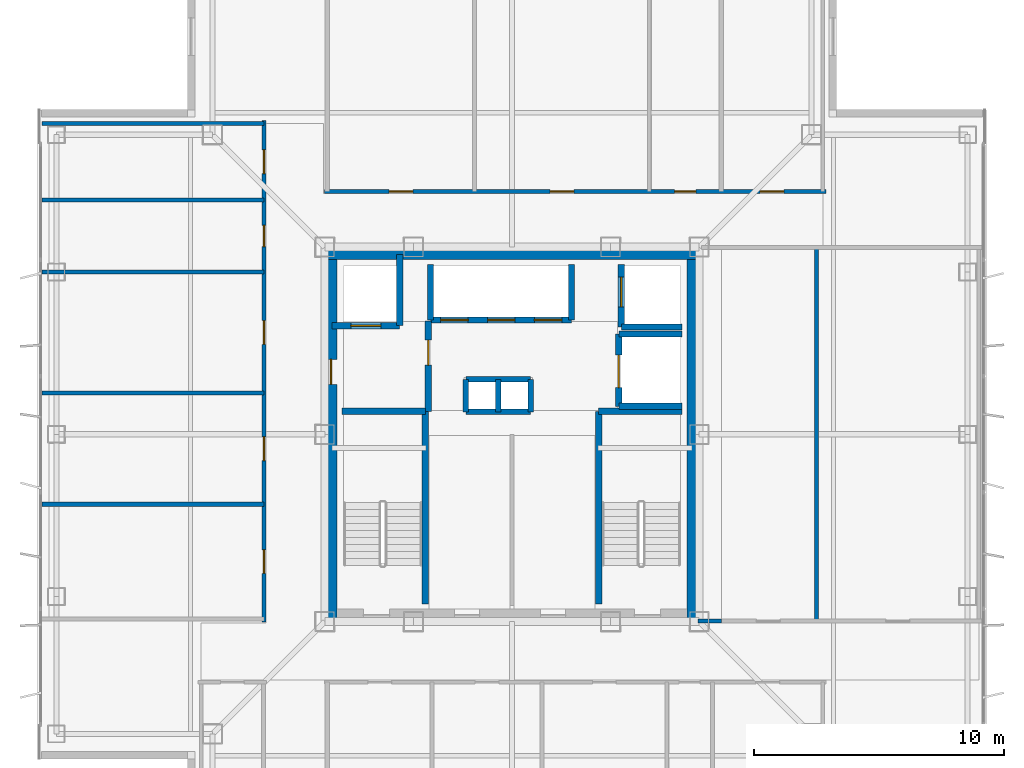
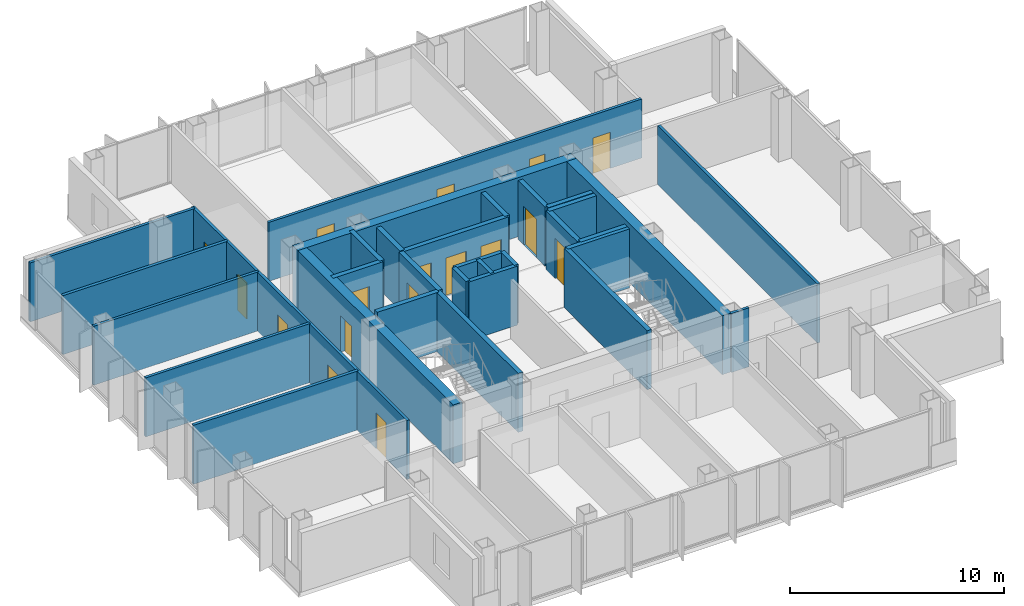
# One storey, part 8 of 15: 32 walls, 17 doors, 17 openings.
"""IFC4 building model written with IfcOpenShell, lengths in metres."""

from ifc_helpers import new_model, si_unit, direction, frame, frame_2d, origin, place, context, subcontext, project, spatial, rectangle, extrude, material, layer, layer_set, type_object, element, fill, save


model = new_model("IFC4")

# Units and contexts
model_context = context("Model", 3, precision=1e-05, world=origin(), true_north=direction((0.0, 1.0)))
body_context = subcontext(model_context, "Body", "Model", "MODEL_VIEW")
ifc_project = project(units=[si_unit("LENGTHUNIT", "METRE"), si_unit("AREAUNIT", "SQUARE_METRE"), si_unit("VOLUMEUNIT", "CUBIC_METRE"), si_unit("PLANEANGLEUNIT", "RADIAN"), si_unit("MASSUNIT", "GRAM", prefix="KILO")], contexts=[model_context])

# Site, building, storey
site_placement = place(None, origin())
site = spatial("IfcSite", under=ifc_project, at=site_placement, CompositionType="ELEMENT")
building_placement = place(site_placement, origin())
building = spatial("IfcBuilding", under=site, at=building_placement, Name="Trevonay Congress Spire", CompositionType="ELEMENT")
storey_placement = place(building_placement, frame((0.0, 0.0, 239.60009765625)))
storey = spatial("IfcBuildingStorey", under=building, at=storey_placement, Name="L62", CompositionType="ELEMENT", Elevation=239.60009765625)

# Wall
ifc_material_1 = material(Name="Concrete C50/60", Category="concrete")
ifc_layer_1 = layer(ifc_material_1, 0.5, Name="Concrete C50/60")
ifc_layer_set_1 = layer_set([ifc_layer_1], Name="Concrete C50/60")
wall_type_1 = type_object("IfcWallType", Name="WAL-CORE-500", PredefinedType="SHEAR", material=ifc_layer_set_1)
wall_1_placement = place(storey_placement, frame((-7.5, 7.25, 0.0), z_axis=(0.0, 0.0, 1.0), x_axis=(1.0, 0.0, 0.0)))
element("IfcWall", 1, at=wall_1_placement, inside=storey, type_object=wall_type_1, Name="L62 North structural core shear wall", PredefinedType="SHEAR", context=body_context, shape_type="SweptSolid", body=[
    extrude(rectangle(XDim=15.0, YDim=0.5, at=frame_2d((7.5, 0.0))), origin(), (0.0, 0.0, 1.0), 3.35986328125),
])

# Wall, opening, door
wall_2_placement = place(storey_placement, frame((-7.25, -7.5, 0.0), z_axis=(0.0, 0.0, 1.0), x_axis=(0.0, 1.0, 0.0)))
wall_2 = element("IfcWall", 2, at=wall_2_placement, inside=storey, type_object=wall_type_1, Name="L62 West structural core shear wall", PredefinedType="SHEAR", context=body_context, shape_type="SweptSolid", body=[
    extrude(rectangle(XDim=15.0, YDim=0.5, at=frame_2d((7.5, 0.0))), origin(), (0.0, 0.0, 1.0), 3.35986328125),
])
opening_1_placement = place(wall_2_placement, frame((9.5, 0.0, 0.0)))
opening_1 = element("IfcOpeningElement", 3, at=opening_1_placement, cuts=wall_2, Name="Opening D06", PredefinedType="OPENING", context=body_context, shape_type="SweptSolid", body=[
    extrude(rectangle(XDim=1.0, YDim=2.080078125, at=frame_2d((0.5, 1.0400390625))), frame((0.0, 0.260009765625, 0.0), z_axis=(0.0, -1.0, 0.0), x_axis=(1.0, 0.0, 0.0)), (0.0, 0.0, 1.0), 0.52001953125),
])
ifc_material_2 = material(Name="Steel ASTM A572 Grade 50", Category="steel")
door_type_1 = type_object("IfcDoorType", Name="DOR-FIRE-100", OperationType="NOTDEFINED", PredefinedType="DOOR", material=ifc_material_2)
door_1_placement = place(opening_1_placement, origin())
door_1 = element("IfcDoor", 4, at=door_1_placement, inside=storey, type_object=door_type_1, Name="L62 Firefighting Lift Lobby West Corridor Door", OperationType="SINGLE_SWING_LEFT", OverallHeight=2.080078125, OverallWidth=1.0, PredefinedType="DOOR", context=body_context, shape_type="SweptSolid", body=[
    extrude(rectangle(XDim=1.0, YDim=2.080078125, at=frame_2d((0.5, 1.0400390625))), frame((0.0, 0.02490234375, 0.0), z_axis=(0.0, -1.0, 0.0), x_axis=(1.0, 0.0, 0.0)), (0.0, 0.0, 1.0), 0.050048828125),
])
fill(opening_1, door_1)

# Wall
wall_3_placement = place(storey_placement, frame((7.25, -7.5, 0.0), z_axis=(0.0, 0.0, 1.0), x_axis=(0.0, 1.0, 0.0)))
element("IfcWall", 5, at=wall_3_placement, inside=storey, type_object=wall_type_1, Name="L62 East structural core shear wall", PredefinedType="SHEAR", context=body_context, shape_type="SweptSolid", body=[
    extrude(rectangle(XDim=15.0, YDim=0.5, at=frame_2d((7.5, 0.0))), origin(), (0.0, 0.0, 1.0), 3.35986328125),
])

# Wall, openings, doors
ifc_material_3 = material(Name="Concrete C40/50", Category="concrete")
ifc_layer_2 = layer(ifc_material_3, 0.14990234375, Name="Concrete C40/50")
ifc_layer_set_2 = layer_set([ifc_layer_2], Name="Concrete C40/50")
wall_type_2 = type_object("IfcWallType", Name="WAL-CORR-150", PredefinedType="PARTITIONING", material=ifc_layer_set_2)
wall_4_placement = place(storey_placement, frame((-9.929931640625, -7.52001953125, 0.0), z_axis=(0.0, 0.0, 1.0), x_axis=(0.0, 1.0, 0.0)))
wall_4 = element("IfcWall", 6, at=wall_4_placement, inside=storey, type_object=wall_type_2, Name="L62 interior wall WP-L62NW-COR", PredefinedType="PARTITIONING", context=body_context, shape_type="SweptSolid", body=[
    extrude(rectangle(XDim=20.090087890625, YDim=0.14990234375, at=frame_2d((10.044921875, 0.0))), origin(), (0.0, 0.0, 1.0), 3.35986328125),
])
opening_2_placement = place(wall_4_placement, frame((1.945068359375, 0.0, 0.0)))
opening_2 = element("IfcOpeningElement", 7, at=opening_2_placement, cuts=wall_4, Name="Opening D07", PredefinedType="OPENING", context=body_context, shape_type="SweptSolid", body=[
    extrude(rectangle(XDim=0.949951171875, YDim=2.06005859375, at=frame_2d((0.47509765625, 1.030029296875))), frame((0.0, 0.0849609375, 0.0), z_axis=(0.0, -1.0, 0.0), x_axis=(1.0, 0.0, 0.0)), (0.0, 0.0, 1.0), 0.169921875),
])
opening_3_placement = place(wall_4_placement, frame((6.469970703125, 0.0, 0.0)))
opening_3 = element("IfcOpeningElement", 8, at=opening_3_placement, cuts=wall_4, Name="Opening D07", PredefinedType="OPENING", context=body_context, shape_type="SweptSolid", body=[
    extrude(rectangle(XDim=0.949951171875, YDim=2.06005859375, at=frame_2d((0.47509765625, 1.030029296875))), frame((0.0, 0.0849609375, 0.0), z_axis=(0.0, -1.0, 0.0), x_axis=(1.0, 0.0, 0.0)), (0.0, 0.0, 1.0), 0.169921875),
])
opening_4_placement = place(wall_4_placement, frame((11.1201171875, 0.0, 0.0)))
opening_4 = element("IfcOpeningElement", 9, at=opening_4_placement, cuts=wall_4, Name="Opening D07", PredefinedType="OPENING", context=body_context, shape_type="SweptSolid", body=[
    extrude(rectangle(XDim=0.949951171875, YDim=2.06005859375, at=frame_2d((0.47509765625, 1.030029296875))), frame((0.0, 0.0849609375, 0.0), z_axis=(0.0, -1.0, 0.0), x_axis=(1.0, 0.0, 0.0)), (0.0, 0.0, 1.0), 0.169921875),
])
opening_5_placement = place(wall_4_placement, frame((15.034912109375, 0.0, 0.0)))
opening_5 = element("IfcOpeningElement", 10, at=opening_5_placement, cuts=wall_4, Name="Opening D10", PredefinedType="OPENING", context=body_context, shape_type="SweptSolid", body=[
    extrude(rectangle(XDim=0.85009765625, YDim=2.050048828125, at=frame_2d((0.425048828125, 1.02490234375))), frame((0.0, 0.0849609375, 0.0), z_axis=(0.0, -1.0, 0.0), x_axis=(1.0, 0.0, 0.0)), (0.0, 0.0, 1.0), 0.169921875),
])
opening_6_placement = place(wall_4_placement, frame((17.9599609375, 0.0, 0.0)))
opening_6 = element("IfcOpeningElement", 11, at=opening_6_placement, cuts=wall_4, Name="Opening D07", PredefinedType="OPENING", context=body_context, shape_type="SweptSolid", body=[
    extrude(rectangle(XDim=0.949951171875, YDim=2.06005859375, at=frame_2d((0.47509765625, 1.030029296875))), frame((0.0, 0.0849609375, 0.0), z_axis=(0.0, -1.0, 0.0), x_axis=(1.0, 0.0, 0.0)), (0.0, 0.0, 1.0), 0.169921875),
])
ifc_material_4 = material(Name="Pale Anodised Aluminium EN AW-6063-T6", Category="aluminium")
door_type_2 = type_object("IfcDoorType", Name="DOR-OFFICE-95", OperationType="NOTDEFINED", PredefinedType="DOOR", material=ifc_material_4)
door_2_placement = place(opening_2_placement, origin())
door_2 = element("IfcDoor", 12, at=door_2_placement, inside=storey, type_object=door_type_2, Name="L62 Cultural Attache Office Door", OperationType="SINGLE_SWING_LEFT", OverallHeight=2.06005859375, OverallWidth=0.949951171875, PredefinedType="DOOR", context=body_context, shape_type="SweptSolid", body=[
    extrude(rectangle(XDim=0.949951171875, YDim=2.06005859375, at=frame_2d((0.47509765625, 1.030029296875))), frame((0.0, 0.02490234375, 0.0), z_axis=(0.0, -1.0, 0.0), x_axis=(1.0, 0.0, 0.0)), (0.0, 0.0, 1.0), 0.050048828125),
])
fill(opening_2, door_2)
door_3_placement = place(opening_3_placement, origin())
door_3 = element("IfcDoor", 13, at=door_3_placement, inside=storey, type_object=door_type_2, Name="L62 Press Attache Office Door", OperationType="SINGLE_SWING_RIGHT", OverallHeight=2.06005859375, OverallWidth=0.949951171875, PredefinedType="DOOR", context=body_context, shape_type="SweptSolid", body=[
    extrude(rectangle(XDim=0.949951171875, YDim=2.06005859375, at=frame_2d((0.47509765625, 1.030029296875))), frame((0.0, 0.02490234375, 0.0), z_axis=(0.0, -1.0, 0.0), x_axis=(1.0, 0.0, 0.0)), (0.0, 0.0, 1.0), 0.050048828125),
])
fill(opening_3, door_3)
door_4_placement = place(opening_4_placement, origin())
door_4 = element("IfcDoor", 14, at=door_4_placement, inside=storey, type_object=door_type_2, Name="L62 Registry Cipher Office Door", OperationType="SINGLE_SWING_LEFT", OverallHeight=2.06005859375, OverallWidth=0.949951171875, PredefinedType="DOOR", context=body_context, shape_type="SweptSolid", body=[
    extrude(rectangle(XDim=0.949951171875, YDim=2.06005859375, at=frame_2d((0.47509765625, 1.030029296875))), frame((0.0, 0.02490234375, 0.0), z_axis=(0.0, -1.0, 0.0), x_axis=(1.0, 0.0, 0.0)), (0.0, 0.0, 1.0), 0.050048828125),
])
fill(opening_4, door_4)
door_5_placement = place(opening_6_placement, origin())
door_5 = element("IfcDoor", 15, at=door_5_placement, inside=storey, type_object=door_type_2, Name="L62 Floor Supplies and Copy Room Door", OperationType="SINGLE_SWING_LEFT", OverallHeight=2.06005859375, OverallWidth=0.949951171875, PredefinedType="DOOR", context=body_context, shape_type="SweptSolid", body=[
    extrude(rectangle(XDim=0.949951171875, YDim=2.06005859375, at=frame_2d((0.47509765625, 1.030029296875))), frame((0.0, 0.02490234375, 0.0), z_axis=(0.0, -1.0, 0.0), x_axis=(1.0, 0.0, 0.0)), (0.0, 0.0, 1.0), 0.050048828125),
])
fill(opening_6, door_5)
door_type_3 = type_object("IfcDoorType", Name="DOR-WC-85", OperationType="NOTDEFINED", PredefinedType="DOOR", material=ifc_material_4)
door_6_placement = place(opening_5_placement, origin())
door_6 = element("IfcDoor", 16, at=door_6_placement, inside=storey, type_object=door_type_3, Name="L62 Male Restroom WC Door", OperationType="SINGLE_SWING_RIGHT", OverallHeight=2.050048828125, OverallWidth=0.85009765625, PredefinedType="DOOR", context=body_context, shape_type="SweptSolid", body=[
    extrude(rectangle(XDim=0.85009765625, YDim=2.050048828125, at=frame_2d((0.425048828125, 1.02490234375))), frame((0.0, 0.02490234375, 0.0), z_axis=(0.0, -1.0, 0.0), x_axis=(1.0, 0.0, 0.0)), (0.0, 0.0, 1.0), 0.050048828125),
])
fill(opening_5, door_6)

wall_5_placement = place(storey_placement, frame((-7.52001953125, 9.72998046875, 0.0), z_axis=(0.0, 0.0, 1.0), x_axis=(1.0, 0.0, 0.0)))
wall_5 = element("IfcWall", 17, at=wall_5_placement, inside=storey, type_object=wall_type_2, Name="L62 interior wall WP-L62N-COR", PredefinedType="PARTITIONING", context=body_context, shape_type="SweptSolid", body=[
    extrude(rectangle(XDim=20.090087890625, YDim=0.14990234375, at=frame_2d((10.044921875, 0.0))), origin(), (0.0, 0.0, 1.0), 3.35986328125),
])
opening_7_placement = place(wall_5_placement, frame((2.594970703125, 0.0, 0.0)))
opening_7 = element("IfcOpeningElement", 18, at=opening_7_placement, cuts=wall_5, Name="Opening D07", PredefinedType="OPENING", context=body_context, shape_type="SweptSolid", body=[
    extrude(rectangle(XDim=0.949951171875, YDim=2.06005859375, at=frame_2d((0.47509765625, 1.030029296875))), frame((0.0, 0.0849609375, 0.0), z_axis=(0.0, -1.0, 0.0), x_axis=(1.0, 0.0, 0.0)), (0.0, 0.0, 1.0), 0.169921875),
])
opening_8_placement = place(wall_5_placement, frame((9.044921875, 0.0, 0.0)))
opening_8 = element("IfcOpeningElement", 19, at=opening_8_placement, cuts=wall_5, Name="Opening D07", PredefinedType="OPENING", context=body_context, shape_type="SweptSolid", body=[
    extrude(rectangle(XDim=0.949951171875, YDim=2.06005859375, at=frame_2d((0.47509765625, 1.030029296875))), frame((0.0, 0.0849609375, 0.0), z_axis=(0.0, -1.0, 0.0), x_axis=(1.0, 0.0, 0.0)), (0.0, 0.0, 1.0), 0.169921875),
])
opening_9_placement = place(wall_5_placement, frame((14.034912109375, 0.0, 0.0)))
opening_9 = element("IfcOpeningElement", 20, at=opening_9_placement, cuts=wall_5, Name="Opening D10", PredefinedType="OPENING", context=body_context, shape_type="SweptSolid", body=[
    extrude(rectangle(XDim=0.85009765625, YDim=2.050048828125, at=frame_2d((0.425048828125, 1.02490234375))), frame((0.0, 0.0849609375, 0.0), z_axis=(0.0, -1.0, 0.0), x_axis=(1.0, 0.0, 0.0)), (0.0, 0.0, 1.0), 0.169921875),
])
opening_10_placement = place(wall_5_placement, frame((17.4599609375, 0.0, 0.0)))
opening_10 = element("IfcOpeningElement", 21, at=opening_10_placement, cuts=wall_5, Name="Opening D07", PredefinedType="OPENING", context=body_context, shape_type="SweptSolid", body=[
    extrude(rectangle(XDim=0.949951171875, YDim=2.06005859375, at=frame_2d((0.47509765625, 1.030029296875))), frame((0.0, 0.0849609375, 0.0), z_axis=(0.0, -1.0, 0.0), x_axis=(1.0, 0.0, 0.0)), (0.0, 0.0, 1.0), 0.169921875),
])
door_7_placement = place(opening_7_placement, origin())
door_7 = element("IfcDoor", 22, at=door_7_placement, inside=storey, type_object=door_type_2, Name="L62 Defense Attache Office Door", OperationType="SINGLE_SWING_RIGHT", OverallHeight=2.06005859375, OverallWidth=0.949951171875, PredefinedType="DOOR", context=body_context, shape_type="SweptSolid", body=[
    extrude(rectangle(XDim=0.949951171875, YDim=2.06005859375, at=frame_2d((0.47509765625, 1.030029296875))), frame((0.0, 0.02490234375, 0.0), z_axis=(0.0, -1.0, 0.0), x_axis=(1.0, 0.0, 0.0)), (0.0, 0.0, 1.0), 0.050048828125),
])
fill(opening_7, door_7)
door_8_placement = place(opening_8_placement, origin())
door_8 = element("IfcDoor", 23, at=door_8_placement, inside=storey, type_object=door_type_2, Name="L62 Trade Attache Office Door", OperationType="SINGLE_SWING_LEFT", OverallHeight=2.06005859375, OverallWidth=0.949951171875, PredefinedType="DOOR", context=body_context, shape_type="SweptSolid", body=[
    extrude(rectangle(XDim=0.949951171875, YDim=2.06005859375, at=frame_2d((0.47509765625, 1.030029296875))), frame((0.0, 0.02490234375, 0.0), z_axis=(0.0, -1.0, 0.0), x_axis=(1.0, 0.0, 0.0)), (0.0, 0.0, 1.0), 0.050048828125),
])
fill(opening_8, door_8)
door_9_placement = place(opening_10_placement, origin())
door_9 = element("IfcDoor", 24, at=door_9_placement, inside=storey, type_object=door_type_2, Name="L62 Floor Supplies and Copy Room Door", OperationType="SINGLE_SWING_LEFT", OverallHeight=2.06005859375, OverallWidth=0.949951171875, PredefinedType="DOOR", context=body_context, shape_type="SweptSolid", body=[
    extrude(rectangle(XDim=0.949951171875, YDim=2.06005859375, at=frame_2d((0.47509765625, 1.030029296875))), frame((0.0, 0.02490234375, 0.0), z_axis=(0.0, -1.0, 0.0), x_axis=(1.0, 0.0, 0.0)), (0.0, 0.0, 1.0), 0.050048828125),
])
fill(opening_10, door_9)
door_10_placement = place(opening_9_placement, origin())
door_10 = element("IfcDoor", 25, at=door_10_placement, inside=storey, type_object=door_type_3, Name="L62 Female Restroom WC Door", OperationType="SINGLE_SWING_RIGHT", OverallHeight=2.050048828125, OverallWidth=0.85009765625, PredefinedType="DOOR", context=body_context, shape_type="SweptSolid", body=[
    extrude(rectangle(XDim=0.85009765625, YDim=2.050048828125, at=frame_2d((0.425048828125, 1.02490234375))), frame((0.0, 0.02490234375, 0.0), z_axis=(0.0, -1.0, 0.0), x_axis=(1.0, 0.0, 0.0)), (0.0, 0.0, 1.0), 0.050048828125),
])
fill(opening_9, door_10)

# Walls
wall_6_placement = place(storey_placement, frame((7.449951171875, -7.47998046875, 0.0), z_axis=(0.0, 0.0, 1.0), x_axis=(1.0, 0.0, 0.0)))
element("IfcWall", 26, at=wall_6_placement, inside=storey, type_object=wall_type_2, Name="L62 interior wall WP-L62E-STUB", PredefinedType="PARTITIONING", context=body_context, shape_type="SweptSolid", body=[
    extrude(rectangle(XDim=0.949951171875, YDim=0.14990234375, at=frame_2d((0.47509765625, 0.0))), origin(), (0.0, 0.0, 1.0), 3.35986328125),
])
ifc_layer_3 = layer(ifc_material_3, 0.14990234375, Name="Concrete C40/50")
ifc_layer_set_3 = layer_set([ifc_layer_3], Name="Concrete C40/50")
wall_type_3 = type_object("IfcWallType", Name="WAL-PART-150", PredefinedType="PARTITIONING", material=ifc_layer_set_3)
for number, where, z_axis, x_axis, name in (
    (27, (-18.820068359375, 1.64990234375, 0.0), (0.0, 0.0, 1.0), (1.0, 0.0, 0.0), "L62 interior wall WP-L62NW-DIV3"),
    (28, (-18.820068359375, 6.5, 0.0), (0.0, 0.0, 1.0), (1.0, 0.0, 0.0), "L62 interior wall WP-L62NW-DIV4"),
    (29, (-18.820068359375, 12.449951171875, 0.0), (0.0, 0.0, 1.0), (1.0, 0.0, 0.0), "L62 interior wall WP-L62NW-DIV5"),
):
    element("IfcWall", number, at=place(storey_placement, frame(where, z_axis=z_axis, x_axis=x_axis)), inside=storey, type_object=wall_type_3, Name=name, PredefinedType="PARTITIONING", context=body_context, shape_type="SweptSolid", body=[
        extrude(rectangle(XDim=8.89013671875, YDim=0.14990234375, at=frame_2d((4.445068359375, 0.0))), origin(), (0.0, 0.0, 1.0), 3.35986328125),
    ])
wall_7_placement = place(storey_placement, frame((12.199951171875, -7.47998046875, 0.0), z_axis=(0.0, 0.0, 1.0), x_axis=(0.0, 1.0, 0.0)))
element("IfcWall", 30, at=wall_7_placement, inside=storey, type_object=wall_type_3, Name="L62 interior wall WP-L62E-DIV1", PredefinedType="PARTITIONING", context=body_context, shape_type="SweptSolid", body=[
    extrude(rectangle(XDim=14.89990234375, YDim=0.14990234375, at=frame_2d((7.449951171875, 0.0))), origin(), (0.0, 0.0, 1.0), 3.35986328125),
])
ifc_layer_4 = layer(ifc_material_3, 0.219970703125, Name="Concrete C40/50")
ifc_layer_set_4 = layer_set([ifc_layer_4], Name="Concrete C40/50")
wall_type_4 = type_object("IfcWallType", Name="WAL-SHAFT-220", PredefinedType="PARTITIONING", material=ifc_layer_set_4)
for number, where, z_axis, x_axis, name in (
    (31, (-1.85009765625, 2.199951171875, 0.0), (0.0, 0.0, 1.0), (1.0, 0.0, 0.0), "L62 interior shaft wall WSH-L62-RSR-N"),
    (32, (-1.85009765625, 0.89990234375, 0.0), (0.0, 0.0, 1.0), (1.0, 0.0, 0.0), "L62 interior shaft wall WSH-L62-RSR-S"),
):
    element("IfcWall", number, at=place(storey_placement, frame(where, z_axis=z_axis, x_axis=x_axis)), inside=storey, type_object=wall_type_4, Name=name, PredefinedType="PARTITIONING", context=body_context, shape_type="SweptSolid", body=[
        extrude(rectangle(XDim=2.60009765625, YDim=0.219970703125, at=frame_2d((1.300048828125, 0.0))), origin(), (0.0, 0.0, 1.0), 3.35986328125),
    ])
for number, where, z_axis, x_axis, name in (
    (33, (-0.550048828125, 0.89990234375, 0.0), (0.0, 0.0, 1.0), (0.0, 1.0, 0.0), "L62 interior shaft wall WSH-L62-RSR-M"),
    (34, (0.75, 0.89990234375, 0.0), (0.0, 0.0, 1.0), (0.0, 1.0, 0.0), "L62 interior shaft wall WSH-L62-RSR-E"),
    (35, (-1.85009765625, 0.89990234375, 0.0), (0.0, 0.0, 1.0), (0.0, 1.0, 0.0), "L62 interior shaft wall WSH-L62-RSR-W"),
):
    element("IfcWall", number, at=place(storey_placement, frame(where, z_axis=z_axis, x_axis=x_axis)), inside=storey, type_object=wall_type_4, Name=name, PredefinedType="PARTITIONING", context=body_context, shape_type="SweptSolid", body=[
        extrude(rectangle(XDim=1.300048828125, YDim=0.219970703125, at=frame_2d((0.64990234375, 0.0))), origin(), (0.0, 0.0, 1.0), 3.35986328125),
    ])

# Wall, openings, doors
ifc_layer_5 = layer(ifc_material_3, 0.25, Name="Concrete C40/50")
ifc_layer_set_5 = layer_set([ifc_layer_5], Name="Concrete C40/50")
wall_type_5 = type_object("IfcWallType", Name="WAL-SHAFT-250", PredefinedType="SHEAR", material=ifc_layer_set_5)
wall_8_placement = place(storey_placement, frame((-3.260009765625, 4.580078125, 0.0), z_axis=(0.0, 0.0, 1.0), x_axis=(1.0, 0.0, 0.0)))
wall_8 = element("IfcWall", 36, at=wall_8_placement, inside=storey, type_object=wall_type_5, Name="L62 interior shaft wall WSH-L62-B3-S", PredefinedType="SHEAR", context=body_context, shape_type="SweptSolid", body=[
    extrude(rectangle(XDim=5.639892578125, YDim=0.25, at=frame_2d((2.81982421875, 0.0))), origin(), (0.0, 0.0, 1.0), 3.35986328125),
])
opening_11_placement = place(wall_8_placement, frame((0.39990234375, 0.0, 0.0)))
opening_11 = element("IfcOpeningElement", 37, at=opening_11_placement, cuts=wall_8, Name="Opening LD03", PredefinedType="OPENING", context=body_context, shape_type="SweptSolid", body=[
    extrude(rectangle(XDim=1.10009765625, YDim=2.199951171875, at=frame_2d((0.550048828125, 1.10009765625))), frame((0.0, 0.135009765625, 0.0), z_axis=(0.0, -1.0, 0.0), x_axis=(1.0, 0.0, 0.0)), (0.0, 0.0, 1.0), 0.27001953125),
])
opening_12_placement = place(wall_8_placement, frame((2.280029296875, 0.0, 0.0)))
opening_12 = element("IfcOpeningElement", 38, at=opening_12_placement, cuts=wall_8, Name="Opening LD03", PredefinedType="OPENING", context=body_context, shape_type="SweptSolid", body=[
    extrude(rectangle(XDim=1.10009765625, YDim=2.199951171875, at=frame_2d((0.550048828125, 1.10009765625))), frame((0.0, 0.135009765625, 0.0), z_axis=(0.0, -1.0, 0.0), x_axis=(1.0, 0.0, 0.0)), (0.0, 0.0, 1.0), 0.27001953125),
])
opening_13_placement = place(wall_8_placement, frame((4.159912109375, 0.0, 0.0)))
opening_13 = element("IfcOpeningElement", 39, at=opening_13_placement, cuts=wall_8, Name="Opening LD03", PredefinedType="OPENING", context=body_context, shape_type="SweptSolid", body=[
    extrude(rectangle(XDim=1.10009765625, YDim=2.199951171875, at=frame_2d((0.550048828125, 1.10009765625))), frame((0.0, 0.135009765625, 0.0), z_axis=(0.0, -1.0, 0.0), x_axis=(1.0, 0.0, 0.0)), (0.0, 0.0, 1.0), 0.27001953125),
])
door_type_4 = type_object("IfcDoorType", Name="DOR-LIFT-LD03", OperationType="DOUBLE_DOOR_SLIDING", PredefinedType="DOOR", material=ifc_material_4)
door_11_placement = place(opening_11_placement, origin())
door_11 = element("IfcDoor", 40, at=door_11_placement, inside=storey, type_object=door_type_4, Name="L62 Passenger lift PL-07 landing door", OperationType="DOUBLE_DOOR_SLIDING", OverallHeight=2.199951171875, OverallWidth=1.10009765625, PredefinedType="DOOR", context=body_context, shape_type="SweptSolid", body=[
    extrude(rectangle(XDim=1.10009765625, YDim=2.199951171875, at=frame_2d((0.550048828125, 1.10009765625))), frame((0.0, 0.02490234375, 0.0), z_axis=(0.0, -1.0, 0.0), x_axis=(1.0, 0.0, 0.0)), (0.0, 0.0, 1.0), 0.050048828125),
])
fill(opening_11, door_11)
door_12_placement = place(opening_12_placement, origin())
door_12 = element("IfcDoor", 41, at=door_12_placement, inside=storey, type_object=door_type_4, Name="L62 Passenger lift PL-08 landing door", OperationType="DOUBLE_DOOR_SLIDING", OverallHeight=2.199951171875, OverallWidth=1.10009765625, PredefinedType="DOOR", context=body_context, shape_type="SweptSolid", body=[
    extrude(rectangle(XDim=1.10009765625, YDim=2.199951171875, at=frame_2d((0.550048828125, 1.10009765625))), frame((0.0, 0.02490234375, 0.0), z_axis=(0.0, -1.0, 0.0), x_axis=(1.0, 0.0, 0.0)), (0.0, 0.0, 1.0), 0.050048828125),
])
fill(opening_12, door_12)
door_13_placement = place(opening_13_placement, origin())
door_13 = element("IfcDoor", 42, at=door_13_placement, inside=storey, type_object=door_type_4, Name="L62 Passenger lift PL-09 landing door", OperationType="DOUBLE_DOOR_SLIDING", OverallHeight=2.199951171875, OverallWidth=1.10009765625, PredefinedType="DOOR", context=body_context, shape_type="SweptSolid", body=[
    extrude(rectangle(XDim=1.10009765625, YDim=2.199951171875, at=frame_2d((0.550048828125, 1.10009765625))), frame((0.0, 0.02490234375, 0.0), z_axis=(0.0, -1.0, 0.0), x_axis=(1.0, 0.0, 0.0)), (0.0, 0.0, 1.0), 0.050048828125),
])
fill(opening_13, door_13)

# Walls
for number, where, z_axis, x_axis, name in (
    (43, (-3.260009765625, 4.580078125, 0.0), (0.0, 0.0, 1.0), (0.0, 1.0, 0.0), "L62 interior shaft wall WSH-L62-B3-W"),
    (44, (2.3798828125, 4.580078125, 0.0), (0.0, 0.0, 1.0), (0.0, 1.0, 0.0), "L62 interior shaft wall WSH-L62-B3-E"),
):
    element("IfcWall", number, at=place(storey_placement, frame(where, z_axis=z_axis, x_axis=x_axis)), inside=storey, type_object=wall_type_5, Name=name, PredefinedType="SHEAR", context=body_context, shape_type="SweptSolid", body=[
        extrude(rectangle(XDim=2.219970703125, YDim=0.25, at=frame_2d((1.10986328125, 0.0))), origin(), (0.0, 0.0, 1.0), 3.35986328125),
    ])

# Wall, opening, door
wall_9_placement = place(storey_placement, frame((-7.199951171875, 4.35009765625, 0.0), z_axis=(0.0, 0.0, 1.0), x_axis=(1.0, 0.0, 0.0)))
wall_9 = element("IfcWall", 45, at=wall_9_placement, inside=storey, type_object=wall_type_5, Name="L62 interior shaft wall WSH-L62-FF1-S", PredefinedType="SHEAR", context=body_context, shape_type="SweptSolid", body=[
    extrude(rectangle(XDim=2.699951171875, YDim=0.25, at=frame_2d((1.35009765625, 0.0))), origin(), (0.0, 0.0, 1.0), 3.35986328125),
])
opening_14_placement = place(wall_9_placement, frame((0.75, 0.0, 0.0)))
opening_14 = element("IfcOpeningElement", 46, at=opening_14_placement, cuts=wall_9, Name="Opening LD04", PredefinedType="OPENING", context=body_context, shape_type="SweptSolid", body=[
    extrude(rectangle(XDim=1.199951171875, YDim=2.199951171875, at=frame_2d((0.60009765625, 1.10009765625))), frame((0.0, 0.135009765625, 0.0), z_axis=(0.0, -1.0, 0.0), x_axis=(1.0, 0.0, 0.0)), (0.0, 0.0, 1.0), 0.27001953125),
])
door_type_5 = type_object("IfcDoorType", Name="DOR-LIFT-LD04", OperationType="DOUBLE_DOOR_SLIDING", PredefinedType="DOOR", material=ifc_material_2)
door_14_placement = place(opening_14_placement, origin())
door_14 = element("IfcDoor", 47, at=door_14_placement, inside=storey, type_object=door_type_5, Name="L62 Firefighting lift FFL-01 landing door", OperationType="DOUBLE_DOOR_SLIDING", OverallHeight=2.199951171875, OverallWidth=1.199951171875, PredefinedType="DOOR", context=body_context, shape_type="SweptSolid", body=[
    extrude(rectangle(XDim=1.199951171875, YDim=2.199951171875, at=frame_2d((0.60009765625, 1.10009765625))), frame((0.0, 0.02490234375, 0.0), z_axis=(0.0, -1.0, 0.0), x_axis=(1.0, 0.0, 0.0)), (0.0, 0.0, 1.0), 0.050048828125),
])
fill(opening_14, door_14)

# Walls
wall_10_placement = place(storey_placement, frame((-4.5, 4.35009765625, 0.0), z_axis=(0.0, 0.0, 1.0), x_axis=(0.0, 1.0, 0.0)))
element("IfcWall", 48, at=wall_10_placement, inside=storey, type_object=wall_type_5, Name="L62 interior shaft wall WSH-L62-FF1-E", PredefinedType="SHEAR", context=body_context, shape_type="SweptSolid", body=[
    extrude(rectangle(XDim=2.849853515625, YDim=0.25, at=frame_2d((1.4248046875, 0.0))), origin(), (0.0, 0.0, 1.0), 3.35986328125),
])
wall_11_placement = place(storey_placement, frame((4.3798828125, 4.300048828125, 0.0), z_axis=(0.0, 0.0, 1.0), x_axis=(1.0, 0.0, 0.0)))
element("IfcWall", 49, at=wall_11_placement, inside=storey, type_object=wall_type_5, Name="L62 interior shaft wall WSH-L62-FF2-S", PredefinedType="SHEAR", context=body_context, shape_type="SweptSolid", body=[
    extrude(rectangle(XDim=2.420166015625, YDim=0.25, at=frame_2d((1.2099609375, 0.0))), origin(), (0.0, 0.0, 1.0), 3.35986328125),
])

# Wall, opening, door
wall_12_placement = place(storey_placement, frame((4.3798828125, 4.300048828125, 0.0), z_axis=(0.0, 0.0, 1.0), x_axis=(0.0, 1.0, 0.0)))
wall_12 = element("IfcWall", 50, at=wall_12_placement, inside=storey, type_object=wall_type_5, Name="L62 interior shaft wall WSH-L62-FF2-W", PredefinedType="SHEAR", context=body_context, shape_type="SweptSolid", body=[
    extrude(rectangle(XDim=2.5, YDim=0.25, at=frame_2d((1.25, 0.0))), origin(), (0.0, 0.0, 1.0), 3.35986328125),
])
opening_15_placement = place(wall_12_placement, frame((0.800048828125, 0.0, 0.0)))
opening_15 = element("IfcOpeningElement", 51, at=opening_15_placement, cuts=wall_12, Name="Opening LD04", PredefinedType="OPENING", context=body_context, shape_type="SweptSolid", body=[
    extrude(rectangle(XDim=1.199951171875, YDim=2.199951171875, at=frame_2d((0.60009765625, 1.10009765625))), frame((0.0, 0.135009765625, 0.0), z_axis=(0.0, -1.0, 0.0), x_axis=(1.0, 0.0, 0.0)), (0.0, 0.0, 1.0), 0.27001953125),
])
door_15_placement = place(opening_15_placement, origin())
door_15 = element("IfcDoor", 52, at=door_15_placement, inside=storey, type_object=door_type_5, Name="L62 Firefighting lift FFL-02 landing door", OperationType="DOUBLE_DOOR_SLIDING", OverallHeight=2.199951171875, OverallWidth=1.199951171875, PredefinedType="DOOR", context=body_context, shape_type="SweptSolid", body=[
    extrude(rectangle(XDim=1.199951171875, YDim=2.199951171875, at=frame_2d((0.60009765625, 1.10009765625))), frame((0.0, 0.02490234375, 0.0), z_axis=(0.0, -1.0, 0.0), x_axis=(1.0, 0.0, 0.0)), (0.0, 0.0, 1.0), 0.050048828125),
])
fill(opening_15, door_15)

wall_13_placement = place(storey_placement, frame((4.280029296875, 1.1201171875, 0.0), z_axis=(0.0, 0.0, 1.0), x_axis=(0.0, 1.0, 0.0)))
wall_13 = element("IfcWall", 53, at=wall_13_placement, inside=storey, type_object=wall_type_5, Name="L62 interior shaft wall WSH-L62-SV-W", PredefinedType="SHEAR", context=body_context, shape_type="SweptSolid", body=[
    extrude(rectangle(XDim=2.89990234375, YDim=0.25, at=frame_2d((1.449951171875, 0.0))), origin(), (0.0, 0.0, 1.0), 3.35986328125),
])
opening_16_placement = place(wall_13_placement, frame((0.75, 0.0, 0.0)))
opening_16 = element("IfcOpeningElement", 54, at=opening_16_placement, cuts=wall_13, Name="Opening LD05", PredefinedType="OPENING", context=body_context, shape_type="SweptSolid", body=[
    extrude(rectangle(XDim=1.300048828125, YDim=2.300048828125, at=frame_2d((0.64990234375, 1.14990234375))), frame((0.0, 0.135009765625, 0.0), z_axis=(0.0, -1.0, 0.0), x_axis=(1.0, 0.0, 0.0)), (0.0, 0.0, 1.0), 0.27001953125),
])
door_type_6 = type_object("IfcDoorType", Name="DOR-LIFT-LD05", OperationType="DOUBLE_DOOR_SLIDING", PredefinedType="DOOR", material=ifc_material_2)
door_16_placement = place(opening_16_placement, origin())
door_16 = element("IfcDoor", 55, at=door_16_placement, inside=storey, type_object=door_type_6, Name="L62 Goods lift SVL-01 landing door", OperationType="DOUBLE_DOOR_SLIDING", OverallHeight=2.300048828125, OverallWidth=1.300048828125, PredefinedType="DOOR", context=body_context, shape_type="SweptSolid", body=[
    extrude(rectangle(XDim=1.300048828125, YDim=2.300048828125, at=frame_2d((0.64990234375, 1.14990234375))), frame((0.0, 0.02490234375, 0.0), z_axis=(0.0, -1.0, 0.0), x_axis=(1.0, 0.0, 0.0)), (0.0, 0.0, 1.0), 0.050048828125),
])
fill(opening_16, door_16)

# Walls
for number, where, z_axis, x_axis, name in (
    (56, (4.280029296875, 1.1201171875, 0.0), (0.0, 0.0, 1.0), (1.0, 0.0, 0.0), "L62 interior shaft wall WSH-L62-SV-S"),
    (57, (4.280029296875, 4.02001953125, 0.0), (0.0, 0.0, 1.0), (1.0, 0.0, 0.0), "L62 interior shaft wall WSH-L62-SV-N"),
):
    element("IfcWall", number, at=place(storey_placement, frame(where, z_axis=z_axis, x_axis=x_axis)), inside=storey, type_object=wall_type_5, Name=name, PredefinedType="SHEAR", context=body_context, shape_type="SweptSolid", body=[
        extrude(rectangle(XDim=2.52001953125, YDim=0.25, at=frame_2d((1.260009765625, 0.0))), origin(), (0.0, 0.0, 1.0), 3.35986328125),
    ])

# Wall, opening, door
wall_14_placement = place(storey_placement, frame((-3.35009765625, 0.919921875, 0.0), z_axis=(0.0, 0.0, 1.0), x_axis=(0.0, 1.0, 0.0)))
wall_14 = element("IfcWall", 58, at=wall_14_placement, inside=storey, type_object=wall_type_5, Name="L62 interior wall CW-FFLW-E-L62", PredefinedType="SHEAR", context=body_context, shape_type="SweptSolid", body=[
    extrude(rectangle(XDim=3.6201171875, YDim=0.25, at=frame_2d((1.81005859375, 0.0))), origin(), (0.0, 0.0, 1.0), 3.35986328125),
])
opening_17_placement = place(wall_14_placement, frame((1.85009765625, 0.0, 0.0)))
opening_17 = element("IfcOpeningElement", 59, at=opening_17_placement, cuts=wall_14, Name="Opening D06", PredefinedType="OPENING", context=body_context, shape_type="SweptSolid", body=[
    extrude(rectangle(XDim=1.0, YDim=2.080078125, at=frame_2d((0.5, 1.0400390625))), frame((0.0, 0.135009765625, 0.0), z_axis=(0.0, -1.0, 0.0), x_axis=(1.0, 0.0, 0.0)), (0.0, 0.0, 1.0), 0.27001953125),
])
door_17_placement = place(opening_17_placement, origin())
door_17 = element("IfcDoor", 60, at=door_17_placement, inside=storey, type_object=door_type_1, Name="L62 Firefighting Core Lobby Transfer Door", OperationType="SINGLE_SWING_RIGHT", OverallHeight=2.080078125, OverallWidth=1.0, PredefinedType="DOOR", context=body_context, shape_type="SweptSolid", body=[
    extrude(rectangle(XDim=1.0, YDim=2.080078125, at=frame_2d((0.5, 1.0400390625))), frame((0.0, 0.02490234375, 0.0), z_axis=(0.0, -1.0, 0.0), x_axis=(1.0, 0.0, 0.0)), (0.0, 0.0, 1.0), 0.050048828125),
])
fill(opening_17, door_17)

# Walls
ifc_layer_6 = layer(ifc_material_3, 0.25, Name="Concrete C40/50")
ifc_layer_set_6 = layer_set([ifc_layer_6], Name="Concrete C40/50")
wall_type_6 = type_object("IfcWallType", Name="WAL-SHAFT-LB-250", PredefinedType="SHEAR", material=ifc_layer_set_6)
wall_15_placement = place(storey_placement, frame((-3.469970703125, -6.800048828125, 0.0), z_axis=(0.0, 0.0, 1.0), x_axis=(0.0, 1.0, 0.0)))
element("IfcWall", 61, at=wall_15_placement, inside=storey, type_object=wall_type_6, Name="L62 interior shaft wall WSH-L62-ST1-E", PredefinedType="SHEAR", context=body_context, shape_type="SweptSolid", body=[
    extrude(rectangle(XDim=7.719970703125, YDim=0.25, at=frame_2d((3.85986328125, 0.0))), origin(), (0.0, 0.0, 1.0), 3.35986328125),
])
wall_16_placement = place(storey_placement, frame((-6.800048828125, 0.919921875, 0.0), z_axis=(0.0, 0.0, 1.0), x_axis=(1.0, 0.0, 0.0)))
element("IfcWall", 62, at=wall_16_placement, inside=storey, type_object=wall_type_6, Name="L62 interior shaft wall WSH-L62-ST1-N", PredefinedType="SHEAR", context=body_context, shape_type="SweptSolid", body=[
    extrude(rectangle(XDim=3.330078125, YDim=0.25, at=frame_2d((1.6650390625, 0.0))), origin(), (0.0, 0.0, 1.0), 3.35986328125),
])
wall_17_placement = place(storey_placement, frame((3.469970703125, -6.800048828125, 0.0), z_axis=(0.0, 0.0, 1.0), x_axis=(0.0, 1.0, 0.0)))
element("IfcWall", 63, at=wall_17_placement, inside=storey, type_object=wall_type_6, Name="L62 interior shaft wall WSH-L62-ST2-W", PredefinedType="SHEAR", context=body_context, shape_type="SweptSolid", body=[
    extrude(rectangle(XDim=7.719970703125, YDim=0.25, at=frame_2d((3.85986328125, 0.0))), origin(), (0.0, 0.0, 1.0), 3.35986328125),
])
wall_18_placement = place(storey_placement, frame((3.469970703125, 0.919921875, 0.0), z_axis=(0.0, 0.0, 1.0), x_axis=(1.0, 0.0, 0.0)))
element("IfcWall", 64, at=wall_18_placement, inside=storey, type_object=wall_type_6, Name="L62 interior shaft wall WSH-L62-ST2-N", PredefinedType="SHEAR", context=body_context, shape_type="SweptSolid", body=[
    extrude(rectangle(XDim=3.330078125, YDim=0.25, at=frame_2d((1.6650390625, 0.0))), origin(), (0.0, 0.0, 1.0), 3.35986328125),
])
ifc_layer_7 = layer(ifc_material_3, 0.1650390625, Name="Concrete C40/50")
ifc_layer_set_7 = layer_set([ifc_layer_7], Name="Concrete C40/50")
wall_type_7 = type_object("IfcWallType", Name="WAL-WET-165", PredefinedType="PLUMBINGWALL", material=ifc_layer_set_7)
for number, where, z_axis, x_axis, name in (
    (65, (-18.820068359375, 9.3798828125, 0.0), (0.0, 0.0, 1.0), (1.0, 0.0, 0.0), "L62 interior wall WP-L62NW-WCS4"),
    (66, (-18.820068359375, -2.800048828125, 0.0), (0.0, 0.0, 1.0), (1.0, 0.0, 0.0), "L62 interior wall WP-L62NW-DIV2"),
):
    element("IfcWall", number, at=place(storey_placement, frame(where, z_axis=z_axis, x_axis=x_axis)), inside=storey, type_object=wall_type_7, Name=name, PredefinedType="PLUMBINGWALL", context=body_context, shape_type="SweptSolid", body=[
        extrude(rectangle(XDim=8.89013671875, YDim=0.1650390625, at=frame_2d((4.445068359375, 0.0))), origin(), (0.0, 0.0, 1.0), 3.35986328125),
    ])

save(model, "model.ifc")
